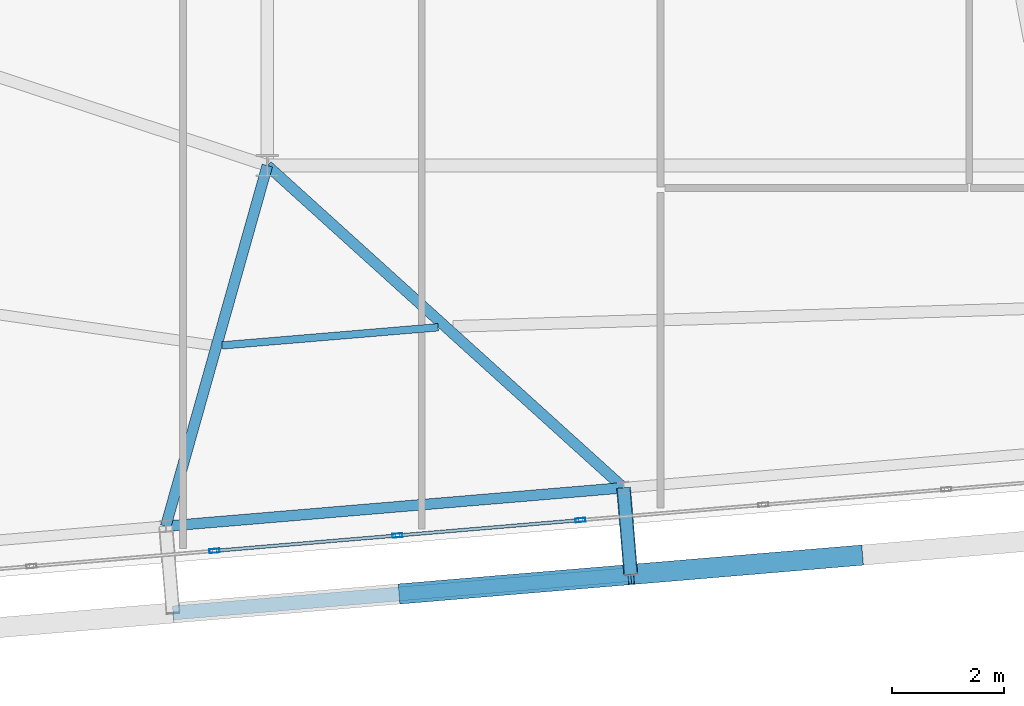
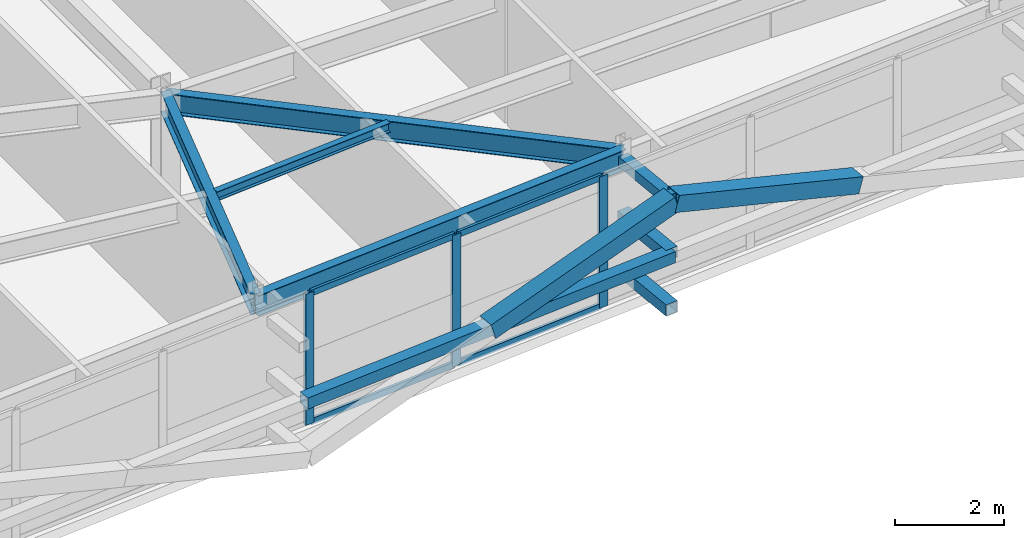
# One storey, part 11 of 46: 13 members, 4 beams, 1 element without a shape of its own.
"""IFC4 building model written with IfcOpenShell, lengths in metres."""

from ifc_helpers import new_model, si_unit, direction, frame, origin, origin_2d, place, context, subcontext, project, spatial, hollow_rectangle, i_section, extrude, source, transform, mapped, material, layer, layer_set, material_profile, profile_set, type_object, element, aggregate, save


model = new_model("IFC4")

# Units and contexts
model_context = context("Model", 3, precision=1e-05, world=origin(), true_north=direction((0.0, 1.0)))
body_context = subcontext(model_context, "Body", "Model", "MODEL_VIEW")
ifc_project = project(units=[si_unit("LENGTHUNIT", "METRE"), si_unit("AREAUNIT", "SQUARE_METRE"), si_unit("VOLUMEUNIT", "CUBIC_METRE"), si_unit("PLANEANGLEUNIT", "RADIAN"), si_unit("MASSUNIT", "GRAM", prefix="KILO")], contexts=[model_context])

# Site, building, storey
site_placement = place(None, origin())
site = spatial("IfcSite", under=ifc_project, at=site_placement, CompositionType="ELEMENT")
building_placement = place(site_placement, origin())
building = spatial("IfcBuilding", under=site, at=building_placement, Name="Taldren Reach Tower", CompositionType="ELEMENT")
storey_placement = place(building_placement, frame((0.0, 0.0, 194.60009765625)))
storey = spatial("IfcBuildingStorey", under=building, at=storey_placement, Name="L59", CompositionType="ELEMENT", Elevation=194.60009765625)

# Members
ifc_material_1 = material(Name="Steel Gr 350 (C350L0)", Category="steel")
ifc_material_profile_1 = material_profile(ifc_material_1, hollow_rectangle(XDim=0.25, YDim=0.25, WallThickness=0.010009765625, at=origin_2d()), Name="250x250x10.0SHS")
ifc_profile_set_1 = profile_set([ifc_material_profile_1], Name="Steel Gr 350 (C350L0)")
member_type_1 = type_object("IfcMemberType", Name="MB-POST250", PredefinedType="POST", material=ifc_profile_set_1)
shared_shape_1 = source(origin(), body_context, "Body", "SweptSolid", [
    extrude(hollow_rectangle(XDim=0.25, YDim=0.25, WallThickness=0.010009765625, at=origin_2d()), origin(), (0.0, 0.0, 1.0), 1.5498046875),
])
for number, where, z_axis, x_axis, name in (
    (1, (34.34228515625, 3.462890625, 0.219970703125), (0.083645141657, -0.996495604746, 0.0), (0.996495604746, 0.083645141657, 0.0), "Exoskeleton base diaphragm tie strut B4-S3 L59"),
    (2, (34.34228515625, 3.462890625, 1.434814453125), (0.083645141657, -0.996495604746, 0.0), (0.996495604746, 0.083645141657, 0.0), "Exoskeleton mid-tier diaphragm tie B4-S3 L59"),
):
    element("IfcMember", number, at=place(storey_placement, frame(where, z_axis=z_axis, x_axis=x_axis)), inside=storey, type_object=member_type_1, Name=name, PredefinedType="POST", context=body_context, shape_type="MappedRepresentation", body=[
        mapped(shared_shape_1, transform((0.0, 0.0, 0.0), scale=1.0)),
    ])

# Beams
ifc_material_2 = material(Name="Steel Gr 350 (350PLUS)", Category="steel")
ifc_material_profile_2 = material_profile(ifc_material_2, i_section(OverallWidth=0.18994140625, OverallDepth=0.4541015625, WebThickness=0.008544921875, FlangeThickness=0.0126953125, at=origin_2d()), Name="460UB67.1")
ifc_profile_set_2 = profile_set([ifc_material_profile_2], Name="Steel Gr 350 (350PLUS)")
beam_type_1 = type_object("IfcBeamType", Name="SP-UB460B", PredefinedType="SPANDREL", material=ifc_profile_set_2)
shared_shape_2 = source(origin(), body_context, "Body", "SweptSolid", [
    extrude(i_section(OverallWidth=0.18994140625, OverallDepth=0.4541015625, WebThickness=0.008544921875, FlangeThickness=0.0126953125, at=origin_2d()), origin(), (0.0, 0.0, 1.0), 8.179931640625),
])
beam_1_placement = place(storey_placement, frame((26.19091796875, 2.778564453125, 2.702880859375), z_axis=(0.996494523218, 0.083658025296, 0.0), x_axis=(-0.083658025296, 0.996494523218, 0.0)))
element("IfcBeam", 3, at=beam_1_placement, inside=storey, type_object=beam_type_1, Name="Perimeter spandrel B4 S2-S3 L59", PredefinedType="SPANDREL", context=body_context, shape_type="MappedRepresentation", body=[
    mapped(shared_shape_2, transform((0.0, 0.0, 0.0), scale=1.0)),
])
ifc_material_profile_3 = material_profile(ifc_material_2, i_section(OverallWidth=0.19091796875, OverallDepth=0.4599609375, WebThickness=0.010009765625, FlangeThickness=0.01611328125, at=origin_2d()), Name="460UB82.1")
ifc_profile_set_3 = profile_set([ifc_material_profile_3], Name="Steel Gr 350 (350PLUS)")
beam_type_2 = type_object("IfcBeamType", Name="BM-UB460A", PredefinedType="BEAM", material=ifc_profile_set_3)
shared_shape_3 = source(origin(), body_context, "Body", "SweptSolid", [
    extrude(i_section(OverallWidth=0.19091796875, OverallDepth=0.4599609375, WebThickness=0.010009765625, FlangeThickness=0.01611328125, at=origin_2d()), origin(), (0.0, 0.0, 1.0), 6.67138671875),
])
beam_2_placement = place(storey_placement, frame((28.0, 9.199951171875, 2.699951171875), z_axis=(-0.271171579948, -0.962531025073, 0.0), x_axis=(0.962531025073, -0.271171579948, 0.0)))
element("IfcBeam", 4, at=beam_2_placement, inside=storey, type_object=beam_type_2, Name="Primary floor girder B4-S2 L59", PredefinedType="BEAM", context=body_context, shape_type="MappedRepresentation", body=[
    mapped(shared_shape_3, transform((0.0, 0.0, 0.0), scale=1.0)),
])
shared_shape_4 = source(origin(), body_context, "Body", "SweptSolid", [
    extrude(i_section(OverallWidth=0.19091796875, OverallDepth=0.4599609375, WebThickness=0.010009765625, FlangeThickness=0.01611328125, at=origin_2d()), origin(), (0.0, 0.0, 1.0), 8.552001953125),
])
beam_3_placement = place(storey_placement, frame((28.0, 9.199951171875, 2.699951171875), z_axis=(0.741605435155, -0.670836327689, 0.0), x_axis=(0.670836327689, 0.741605435155, 0.0)))
element("IfcBeam", 5, at=beam_3_placement, inside=storey, type_object=beam_type_2, Name="Primary floor girder B4-S3 L59", PredefinedType="BEAM", context=body_context, shape_type="MappedRepresentation", body=[
    mapped(shared_shape_4, transform((0.0, 0.0, 0.0), scale=1.0)),
])
ifc_material_3 = material(Name="Steel Gr 300 (300PLUS, 300 MPa)", Category="steel")
ifc_material_profile_4 = material_profile(ifc_material_3, i_section(OverallWidth=0.134033203125, OverallDepth=0.20703125, WebThickness=0.00634765625, FlangeThickness=0.009521484375, at=origin_2d()), Name="200UB29.8")
ifc_profile_set_4 = profile_set([ifc_material_profile_4], Name="Steel Gr 300 (300PLUS, 300 MPa)")
beam_type_3 = type_object("IfcBeamType", Name="JS-UB200", PredefinedType="JOIST", material=ifc_profile_set_4)
shared_shape_5 = source(origin(), body_context, "Body", "SweptSolid", [
    extrude(i_section(OverallWidth=0.134033203125, OverallDepth=0.20703125, WebThickness=0.00634765625, FlangeThickness=0.009521484375, at=origin_2d()), origin(), (0.0, 0.0, 1.0), 3.857177734375),
])
beam_4_placement = place(storey_placement, frame((27.197021484375, 5.997802734375, 2.826416015625), z_axis=(0.996493179166, 0.083674033464, 0.0), x_axis=(-0.083674033464, 0.996493179166, 0.0)))
element("IfcBeam", 6, at=beam_4_placement, inside=storey, type_object=beam_type_3, Name="Secondary floor joist B4 J2 L59", PredefinedType="JOIST", context=body_context, shape_type="MappedRepresentation", body=[
    mapped(shared_shape_5, transform((0.0, 0.0, 0.0), scale=1.0)),
])

# Members
ifc_material_4 = material(Name="Steel Gr 450 (C450L0)", Category="steel")
ifc_material_profile_5 = material_profile(ifc_material_4, hollow_rectangle(XDim=0.219970703125, YDim=0.219970703125, WallThickness=0.00830078125, at=origin_2d()), Name="220x220x8.2SHS")
ifc_profile_set_5 = profile_set([ifc_material_profile_5], Name="Steel Gr 450 (C450L0)")
member_type_2 = type_object("IfcMemberType", Name="MB-TIE219", PredefinedType="STRUT", material=ifc_profile_set_5)
shared_shape_6 = source(origin(), body_context, "Body", "SweptSolid", [
    extrude(hollow_rectangle(XDim=0.219970703125, YDim=0.219970703125, WallThickness=0.00830078125, at=origin_2d()), origin(), (0.0, 0.0, 1.0), 1.5498046875),
])
member_1_placement = place(storey_placement, frame((34.34228515625, 3.462890625, 2.64990234375), z_axis=(0.083645141657, -0.996495604746, 0.0), x_axis=(0.996495604746, 0.083645141657, 0.0)))
element("IfcMember", 7, at=member_1_placement, inside=storey, type_object=member_type_2, Name="Exoskeleton diaphragm tie strut B4-S3 L59", PredefinedType="STRUT", context=body_context, shape_type="MappedRepresentation", body=[
    mapped(shared_shape_6, transform((0.0, 0.0, 0.0), scale=1.0)),
])
shared_shape_7 = source(origin(), body_context, "Body", "SweptSolid", [
    extrude(hollow_rectangle(XDim=0.25, YDim=0.25, WallThickness=0.010009765625, at=origin_2d()), origin(), (0.0, 0.0, 1.0), 8.18017578125),
])
member_2_placement = place(storey_placement, frame((26.320556640625, 1.23388671875, 1.434814453125), z_axis=(0.996492034688, 0.083687662192, 0.0), x_axis=(-0.083687662192, 0.996492034688, 0.0)))
element("IfcMember", 8, at=member_2_placement, inside=storey, type_object=member_type_1, Name="Exoskeleton mid-height ring chord B4-S2 L59", PredefinedType="POST", context=body_context, shape_type="MappedRepresentation", body=[
    mapped(shared_shape_7, transform((0.0, 0.0, 0.0), scale=1.0)),
])
ifc_material_profile_6 = material_profile(ifc_material_4, hollow_rectangle(XDim=0.360107421875, YDim=0.360107421875, WallThickness=0.0126953125, at=origin_2d()), Name="360x360x12.7SHS")
ifc_profile_set_6 = profile_set([ifc_material_profile_6], Name="Steel Gr 450 (C450L0)")
member_type_3 = type_object("IfcMemberType", Name="MB-EXO356", PredefinedType="BRACE", material=ifc_profile_set_6)
shared_shape_8 = source(origin(), body_context, "Body", "SweptSolid", [
    extrude(hollow_rectangle(XDim=0.360107421875, YDim=0.360107421875, WallThickness=0.0126953125, at=origin_2d()), origin(), (0.0, 0.0, 1.0), 4.2666015625),
])
for number, where, z_axis, x_axis, name in (
    (9, (30.396240234375, 1.576171875, 1.434814453125), (0.955229159097, 0.080222312271, 0.284783486572), (-0.083687662192, 0.996492034688, 0.0), "Exoskeleton Diagrid Brace B4-S2 L59"),
    (10, (38.547607421875, 2.2607421875, 1.434814453125), (-0.955229159097, -0.080222312271, 0.284783486572), (0.083687662192, -0.996492034688, 0.0), "Exoskeleton Diagrid Brace B4-S3 L59"),
):
    element("IfcMember", number, at=place(storey_placement, frame(where, z_axis=z_axis, x_axis=x_axis)), inside=storey, type_object=member_type_3, Name=name, PredefinedType="BRACE", context=body_context, shape_type="MappedRepresentation", body=[
        mapped(shared_shape_8, transform((0.0, 0.0, 0.0), scale=1.0)),
    ])

# Curtain wall, members
ifc_material_5 = material(Name="Aluminium and Low-E Glass Unitised System", Category="aluminium")
ifc_layer = layer(ifc_material_5, 0.159912109375)
ifc_layer_set = layer_set([ifc_layer], Name="Aluminium and Low-E Glass Unitised System")
curtain_wall_type = type_object("IfcCurtainWallType", Name="CW-SYS-5", PredefinedType="NOTDEFINED", material=ifc_layer_set)
curtain_wall_placement = place(storey_placement, origin())
curtain_wall = element("IfcCurtainWall", 11, at=curtain_wall_placement, inside=storey, type_object=curtain_wall_type, Name="Unitised curtain wall CW-L59-S", PredefinedType="NOTDEFINED")
ifc_material_6 = material(Name="Anodised Aluminium 6063-T6", Category="aluminium")
ifc_material_profile_7 = material_profile(ifc_material_6, hollow_rectangle(XDim=0.070068359375, YDim=0.179931640625, WallThickness=0.00390625, at=origin_2d()), Name="ALU-180x70x4RHS")
ifc_profile_set_7 = profile_set([ifc_material_profile_7], Name="Anodised Aluminium 6063-T6")
member_type_4 = type_object("IfcMemberType", Name="CW-MUL-180", PredefinedType="MULLION", material=ifc_profile_set_7)
shared_shape_9 = source(origin(), body_context, "Body", "SweptSolid", [
    extrude(hollow_rectangle(XDim=0.070068359375, YDim=0.179931640625, WallThickness=0.00390625, at=origin_2d()), origin(), (0.0, 0.0, 1.0), 2.929931640625),
])
member_3_placement = place(storey_placement, frame((27.058349609375, 2.339599609375, 0.0), z_axis=(0.0, 0.0, 1.0), x_axis=(-0.083677894865, 0.996492854922, 0.0)))
member_3 = element("IfcMember", 12, at=member_3_placement, type_object=member_type_4, Name="CW-5 mullion 4", PredefinedType="MULLION", context=body_context, shape_type="MappedRepresentation", body=[
    mapped(shared_shape_9, transform((0.0, 0.0, 0.0), scale=1.0)),
])
member_4_placement = place(storey_placement, frame((30.316162109375, 2.613037109375, 0.0), z_axis=(0.0, 0.0, 1.0), x_axis=(-0.083677894865, 0.996492854922, 0.0)))
member_4 = element("IfcMember", 13, at=member_4_placement, type_object=member_type_4, Name="CW-5 mullion 5", PredefinedType="MULLION", context=body_context, shape_type="MappedRepresentation", body=[
    mapped(shared_shape_9, transform((0.0, 0.0, 0.0), scale=1.0)),
])
member_5_placement = place(storey_placement, frame((33.573974609375, 2.88671875, 0.0), z_axis=(0.0, 0.0, 1.0), x_axis=(-0.083677894865, 0.996492854922, 0.0)))
member_5 = element("IfcMember", 14, at=member_5_placement, type_object=member_type_4, Name="CW-5 mullion 6", PredefinedType="MULLION", context=body_context, shape_type="MappedRepresentation", body=[
    mapped(shared_shape_9, transform((0.0, 0.0, 0.0), scale=1.0)),
])
ifc_material_profile_8 = material_profile(ifc_material_6, hollow_rectangle(XDim=0.06005859375, YDim=0.135009765625, WallThickness=0.00341796875, at=origin_2d()), Name="ALU-135x60x3.5RHS")
ifc_profile_set_8 = profile_set([ifc_material_profile_8], Name="Anodised Aluminium 6063-T6")
member_type_5 = type_object("IfcMemberType", Name="CW-TRN-150", PredefinedType="USERDEFINED", material=ifc_profile_set_8)
shared_shape_10 = source(origin(), body_context, "Body", "SweptSolid", [
    extrude(hollow_rectangle(XDim=0.06005859375, YDim=0.135009765625, WallThickness=0.00341796875, at=origin_2d()), origin(), (0.0, 0.0, 1.0), 3.19921875),
])
member_6_placement = place(storey_placement, frame((27.09326171875, 2.342529296875, 0.02978515625), z_axis=(0.996496109493, 0.083639128198, 0.0), x_axis=(-0.083639128198, 0.996496109493, 0.0)))
member_6 = element("IfcMember", 15, at=member_6_placement, type_object=member_type_5, Name="CW-5 transom 4.1", ObjectType="TRANSOM", PredefinedType="USERDEFINED", context=body_context, shape_type="MappedRepresentation", body=[
    mapped(shared_shape_10, transform((0.0, 0.0, 0.0), scale=1.0)),
])
member_7_placement = place(storey_placement, frame((27.09326171875, 2.342529296875, 2.89990234375), z_axis=(0.996496109493, 0.083639128198, 0.0), x_axis=(-0.083639128198, 0.996496109493, 0.0)))
member_7 = element("IfcMember", 16, at=member_7_placement, type_object=member_type_5, Name="CW-5 transom 4.2", ObjectType="TRANSOM", PredefinedType="USERDEFINED", context=body_context, shape_type="MappedRepresentation", body=[
    mapped(shared_shape_10, transform((0.0, 0.0, 0.0), scale=1.0)),
])
member_8_placement = place(storey_placement, frame((30.35107421875, 2.615966796875, 0.02978515625), z_axis=(0.996489746258, 0.083714906697, 0.0), x_axis=(-0.083714906697, 0.996489746258, 0.0)))
member_8 = element("IfcMember", 17, at=member_8_placement, type_object=member_type_5, Name="CW-5 transom 5.1", ObjectType="TRANSOM", PredefinedType="USERDEFINED", context=body_context, shape_type="MappedRepresentation", body=[
    mapped(shared_shape_10, transform((0.0, 0.0, 0.0), scale=1.0)),
])
member_9_placement = place(storey_placement, frame((30.35107421875, 2.615966796875, 2.89990234375), z_axis=(0.996489746258, 0.083714906697, 0.0), x_axis=(-0.083714906697, 0.996489746258, 0.0)))
member_9 = element("IfcMember", 18, at=member_9_placement, type_object=member_type_5, Name="CW-5 transom 5.2", ObjectType="TRANSOM", PredefinedType="USERDEFINED", context=body_context, shape_type="MappedRepresentation", body=[
    mapped(shared_shape_10, transform((0.0, 0.0, 0.0), scale=1.0)),
])
aggregate(curtain_wall, [member_3, member_4, member_5, member_6, member_7, member_8, member_9])

save(model, "model.ifc")
